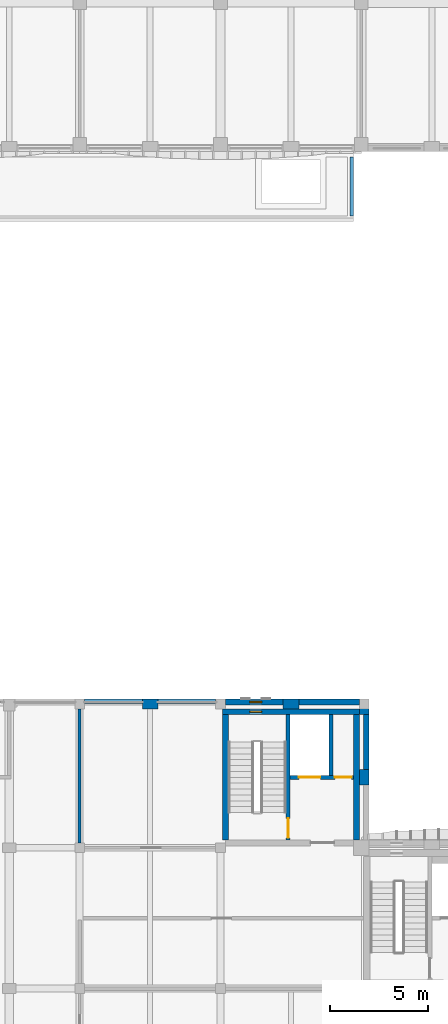
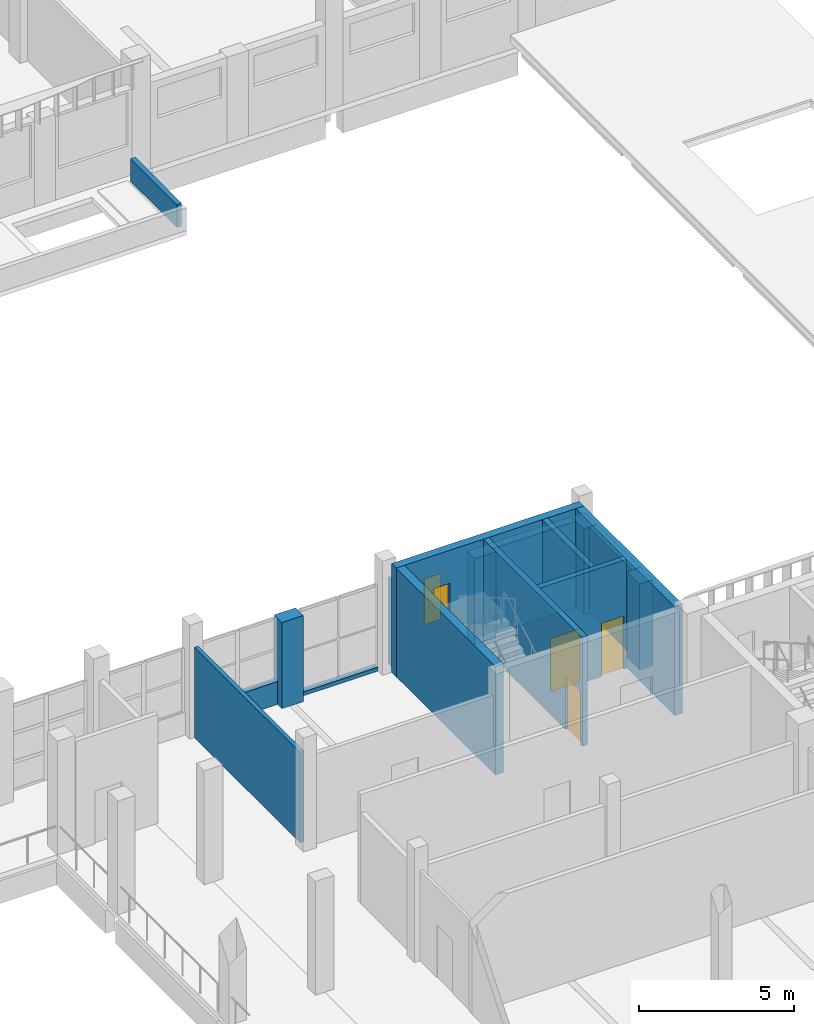
# One storey, part 25 of 59: 17 walls, 3 doors, 2 windows, 5 openings.
"""IFC4 building model written with IfcOpenShell, lengths in metres."""

from ifc_helpers import new_model, si_unit, direction, frame, frame_2d, origin, place, context, subcontext, project, spatial, rectangle, extrude, material, layer, layer_set, type_object, element, fill, save


model = new_model("IFC4")

# Units and contexts
model_context = context("Model", 3, precision=1e-05, world=origin(), true_north=direction((0.0, 1.0)))
body_context = subcontext(model_context, "Body", "Model", "MODEL_VIEW")
ifc_project = project(units=[si_unit("LENGTHUNIT", "METRE"), si_unit("AREAUNIT", "SQUARE_METRE"), si_unit("VOLUMEUNIT", "CUBIC_METRE"), si_unit("PLANEANGLEUNIT", "RADIAN"), si_unit("MASSUNIT", "GRAM", prefix="KILO")], contexts=[model_context])

# Site, building, storey
site_placement = place(None, origin())
site = spatial("IfcSite", under=ifc_project, at=site_placement, CompositionType="ELEMENT")
building_placement = place(site_placement, origin())
building = spatial("IfcBuilding", under=site, at=building_placement, Name="Ussher Court Research Institute", CompositionType="ELEMENT")
storey_placement = place(building_placement, frame((0.0, 0.0, 5.39990234375)))
storey = spatial("IfcBuildingStorey", under=building, at=storey_placement, Name="L01", CompositionType="ELEMENT", Elevation=5.39990234375)

# Wall, opening, window
ifc_material_1 = material(Name="Limestone facing on blockwork", Category="masonry")
ifc_layer_1 = layer(ifc_material_1, 0.300048828125)
ifc_layer_set_1 = layer_set([ifc_layer_1], Name="Limestone facing on blockwork")
wall_type_1 = type_object("IfcWallType", Name="External wall 300 stair enclosure", PredefinedType="SOLIDWALL", material=ifc_layer_set_1)
wall_1_placement = place(storey_placement, frame((75.25, 40.25, 0.0), z_axis=(0.0, 0.0, 1.0), x_axis=(1.0, 0.0, 0.0)))
wall_1 = element("IfcWall", 1, at=wall_1_placement, inside=storey, type_object=wall_type_1, Name="External wall EW5 L01", PredefinedType="SOLIDWALL", context=body_context, shape_type="SweptSolid", body=[
    extrude(rectangle(XDim=2.949951171875, YDim=0.300048828125, at=frame_2d((1.47509765625, 0.0))), origin(), (0.0, 0.0, 1.0), 3.400146484375),
])
opening_1_placement = place(wall_1_placement, frame((1.25, 0.0, 1.199951171875)))
opening_1 = element("IfcOpeningElement", 2, at=opening_1_placement, cuts=wall_1, Name="Opening W25", PredefinedType="OPENING", context=body_context, shape_type="SweptSolid", body=[
    extrude(rectangle(XDim=0.60009765625, YDim=1.800048828125, at=frame_2d((0.300048828125, 0.89990234375))), frame((0.0, 0.16015625, 0.0), z_axis=(0.0, -1.0, 0.0), x_axis=(1.0, 0.0, 0.0)), (0.0, 0.0, 1.0), 0.320068359375),
])
ifc_material_2 = material(Name="Bronze anodised aluminium with double glazing", Category="aluminium")
window_type = type_object("IfcWindowType", Name="Stair light slot window 600x1800 fire-resisting glazing", PartitioningType="SINGLE_PANEL", PredefinedType="WINDOW", material=ifc_material_2)
window_1_placement = place(opening_1_placement, origin())
window_1 = element("IfcWindow", 3, at=window_1_placement, inside=storey, type_object=window_type, Name="Window W25 L01", OverallHeight=1.800048828125, OverallWidth=0.60009765625, PartitioningType="SINGLE_PANEL", PredefinedType="WINDOW", context=body_context, shape_type="SweptSolid", body=[
    extrude(rectangle(XDim=0.60009765625, YDim=1.800048828125, at=frame_2d((0.300048828125, 0.89990234375))), frame((0.0, 0.030029296875, 0.0), z_axis=(0.0, -1.0, 0.0), x_axis=(1.0, 0.0, 0.0)), (0.0, 0.0, 1.0), 0.06005859375),
])
fill(opening_1, window_1)

# Walls
wall_2_placement = place(storey_placement, frame((79.0, 40.25, 0.0), z_axis=(0.0, 0.0, 1.0), x_axis=(1.0, 0.0, 0.0)))
element("IfcWall", 4, at=wall_2_placement, inside=storey, type_object=wall_type_1, Name="External wall EW5 L01", PredefinedType="SOLIDWALL", context=body_context, shape_type="SweptSolid", body=[
    extrude(rectangle(XDim=3.10009765625, YDim=0.300048828125, at=frame_2d((1.550048828125, 0.0))), origin(), (0.0, 0.0, 1.0), 3.400146484375),
])
wall_3_placement = place(storey_placement, frame((82.449951171875, 39.60009765625, 0.0), z_axis=(0.0, 0.0, 1.0), x_axis=(0.0, -1.0, 0.0)))
element("IfcWall", 5, at=wall_3_placement, inside=storey, type_object=wall_type_1, Name="External wall EW5 L01", PredefinedType="SOLIDWALL", context=body_context, shape_type="SweptSolid", body=[
    extrude(rectangle(XDim=2.800048828125, YDim=0.300048828125, at=frame_2d((1.39990234375, 0.0))), origin(), (0.0, 0.0, 1.0), 3.400146484375),
])
ifc_material_3 = material(Name="Plastered blockwork", Category="masonry")
ifc_layer_2 = layer(ifc_material_3, 0.14990234375)
ifc_layer_set_2 = layer_set([ifc_layer_2], Name="Plastered blockwork")
wall_type_2 = type_object("IfcWallType", Name="Fire partition blockwork 150 EI 60", PredefinedType="PARTITIONING", material=ifc_layer_set_2)
wall_4_placement = place(storey_placement, frame((67.800048828125, 33.050048828125, 0.0), z_axis=(0.0, 0.0, 1.0), x_axis=(0.0, 1.0, 0.0)))
element("IfcWall", 6, at=wall_4_placement, inside=storey, type_object=wall_type_2, Name="Fire partition", PredefinedType="PARTITIONING", context=body_context, shape_type="SweptSolid", body=[
    extrude(rectangle(XDim=6.849853515625, YDim=0.14990234375, at=frame_2d((3.4248046875, 0.0))), origin(), (0.0, 0.0, 1.0), 3.570068359375),
])
ifc_material_4 = material(Name="Limestone facing on insulated blockwork", Category="masonry")
ifc_layer_3 = layer(ifc_material_4, 0.219970703125)
ifc_layer_set_3 = layer_set([ifc_layer_3], Name="Limestone facing on insulated blockwork")
wall_type_3 = type_object("IfcWallType", Name="Link wall 220 limestone faced insulated block", PredefinedType="SOLIDWALL", material=ifc_layer_set_3)
wall_5_placement = place(storey_placement, frame((68.050048828125, 40.2900390625, 0.0), z_axis=(0.0, 0.0, 1.0), x_axis=(1.0, 0.0, 0.0)))
element("IfcWall", 7, at=wall_5_placement, inside=storey, type_object=wall_type_3, Name="Plinth wall EW6 L01", PredefinedType="SOLIDWALL", context=body_context, shape_type="SweptSolid", body=[
    extrude(rectangle(XDim=2.949951171875, YDim=0.219970703125, at=frame_2d((1.47509765625, 0.0))), origin(), (0.0, 0.0, 1.0), 0.900146484375),
])
wall_6_placement = place(storey_placement, frame((71.800048828125, 40.2900390625, 0.0), z_axis=(0.0, 0.0, 1.0), x_axis=(1.0, 0.0, 0.0)))
element("IfcWall", 8, at=wall_6_placement, inside=storey, type_object=wall_type_3, Name="Plinth wall EW6 L01", PredefinedType="SOLIDWALL", context=body_context, shape_type="SweptSolid", body=[
    extrude(rectangle(XDim=2.949951171875, YDim=0.219970703125, at=frame_2d((1.47509765625, 0.0))), origin(), (0.0, 0.0, 1.0), 0.150146484375),
])
ifc_material_5 = material(Name="Blockwork with cream render", Category="masonry")
ifc_layer_4 = layer(ifc_material_5, 0.179931640625)
ifc_layer_set_4 = layer_set([ifc_layer_4], Name="Blockwork with cream render")
wall_type_4 = type_object("IfcWallType", Name="Parapet 180 cream render", PredefinedType="PARAPET", material=ifc_layer_set_4)
wall_7_placement = place(storey_placement, frame((81.7099609375, 65.10009765625, 0.0), z_axis=(0.0, 0.0, 1.0), x_axis=(0.0, 1.0, 0.0)))
element("IfcWall", 9, at=wall_7_placement, inside=storey, type_object=wall_type_4, Name="Parapet PW1", PredefinedType="PARAPET", context=body_context, shape_type="SweptSolid", body=[
    extrude(rectangle(XDim=3.0, YDim=0.179931640625, at=frame_2d((1.5, 0.0))), origin(), (0.0, 0.0, 1.0), 0.900146484375),
])
ifc_material_6 = material(Name="Rusticated limestone facing on blockwork", Category="masonry")
ifc_layer_5 = layer(ifc_material_6, 0.5)
ifc_layer_set_5 = layer_set([ifc_layer_5], Name="Rusticated limestone facing on blockwork")
wall_type_5 = type_object("IfcWallType", Name="Pier 800x500 rusticated limestone", PredefinedType="SOLIDWALL", material=ifc_layer_set_5)
for number, where, z_axis, x_axis, name in (
    (10, (71.0, 40.14990234375, 0.0), (0.0, 0.0, 1.0), (1.0, 0.0, 0.0), "Pier PR2 L01"),
    (11, (78.199951171875, 40.14990234375, 0.0), (0.0, 0.0, 1.0), (1.0, 0.0, 0.0), "Pier PR2 L01"),
):
    element("IfcWall", number, at=place(storey_placement, frame(where, z_axis=z_axis, x_axis=x_axis)), inside=storey, type_object=wall_type_5, Name=name, PredefinedType="SOLIDWALL", context=body_context, shape_type="SweptSolid", body=[
        extrude(rectangle(XDim=0.800048828125, YDim=0.5, at=frame_2d((0.39990234375, 0.0))), origin(), (0.0, 0.0, 1.0), 3.400146484375),
    ])
wall_8_placement = place(storey_placement, frame((82.35009765625, 40.39990234375, 0.0), z_axis=(0.0, 0.0, 1.0), x_axis=(0.0, -1.0, 0.0)))
element("IfcWall", 12, at=wall_8_placement, inside=storey, type_object=wall_type_5, Name="Pier PR2 L01", PredefinedType="SOLIDWALL", context=body_context, shape_type="SweptSolid", body=[
    extrude(rectangle(XDim=0.7998046875, YDim=0.5, at=frame_2d((0.39990234375, 0.0))), origin(), (0.0, 0.0, 1.0), 3.400146484375),
])
wall_9_placement = place(storey_placement, frame((82.35009765625, 36.800048828125, 0.0), z_axis=(0.0, 0.0, 1.0), x_axis=(0.0, -1.0, 0.0)))
element("IfcWall", 13, at=wall_9_placement, inside=storey, type_object=wall_type_5, Name="Pier PR2 L01", PredefinedType="SOLIDWALL", context=body_context, shape_type="SweptSolid", body=[
    extrude(rectangle(XDim=0.800048828125, YDim=0.5, at=frame_2d((0.39990234375, 0.0))), origin(), (0.0, 0.0, 1.0), 3.400146484375),
])

# Wall, opening, door
ifc_material_7 = material(Name="Concrete C35/45", Category="concrete")
ifc_layer_6 = layer(ifc_material_7, 0.199951171875)
ifc_layer_set_6 = layer_set([ifc_layer_6], Name="Concrete C35/45")
wall_type_6 = type_object("IfcWallType", Name="RC core wall 200", PredefinedType="SHEAR", material=ifc_layer_set_6)
wall_10_placement = place(storey_placement, frame((78.449951171875, 33.199951171875, 0.0), z_axis=(0.0, 0.0, 1.0), x_axis=(0.0, 1.0, 0.0)))
wall_10 = element("IfcWall", 14, at=wall_10_placement, inside=storey, type_object=wall_type_6, Name="Core wall E1", PredefinedType="SHEAR", context=body_context, shape_type="SweptSolid", body=[
    extrude(rectangle(XDim=6.400146484375, YDim=0.199951171875, at=frame_2d((3.2001953125, 0.0))), origin(), (0.0, 0.0, 1.0), 4.300048828125),
])
opening_2_placement = place(wall_10_placement, frame((0.10009765625, 0.0, 0.0)))
opening_2 = element("IfcOpeningElement", 15, at=opening_2_placement, cuts=wall_10, Name="Opening D01051", PredefinedType="OPENING", context=body_context, shape_type="SweptSolid", body=[
    extrude(rectangle(XDim=1.0, YDim=2.10009765625, at=frame_2d((0.5, 1.050048828125))), frame((0.0, 0.10986328125, 0.0), z_axis=(0.0, -1.0, 0.0), x_axis=(1.0, 0.0, 0.0)), (0.0, 0.0, 1.0), 0.219970703125),
])
ifc_material_8 = material(Name="Painted steel faced fire door", Category="steel")
door_type_1 = type_object("IfcDoorType", Name="Fire door 1000x2100 FD60", OperationType="NOTDEFINED", PredefinedType="DOOR", material=ifc_material_8)
door_1_placement = place(opening_2_placement, origin())
door_1 = element("IfcDoor", 16, at=door_1_placement, inside=storey, type_object=door_type_1, Name="Door D01051", OperationType="SINGLE_SWING_LEFT", OverallHeight=2.10009765625, OverallWidth=1.0, PredefinedType="DOOR", context=body_context, shape_type="SweptSolid", body=[
    extrude(rectangle(XDim=1.0, YDim=2.10009765625, at=frame_2d((0.5, 1.050048828125))), frame((0.0, 0.02490234375, 0.0), z_axis=(0.0, -1.0, 0.0), x_axis=(1.0, 0.0, 0.0)), (0.0, 0.0, 1.0), 0.050048828125),
])
fill(opening_2, door_1)

# Wall, openings, doors
wall_11_placement = place(storey_placement, frame((81.800048828125, 36.39990234375, 0.0), z_axis=(0.0, 0.0, 1.0), x_axis=(-1.0, 0.0, 0.0)))
wall_11 = element("IfcWall", 17, at=wall_11_placement, inside=storey, type_object=wall_type_6, Name="Core wall E1", PredefinedType="SHEAR", context=body_context, shape_type="SweptSolid", body=[
    extrude(rectangle(XDim=3.25, YDim=0.199951171875, at=frame_2d((1.625, 0.0))), origin(), (0.0, 0.0, 1.0), 4.300048828125),
])
opening_3_placement = place(wall_11_placement, frame((1.699951171875, 0.0, 0.0)))
opening_3 = element("IfcOpeningElement", 18, at=opening_3_placement, cuts=wall_11, Name="Opening LD22", PredefinedType="OPENING", context=body_context, shape_type="SweptSolid", body=[
    extrude(rectangle(XDim=1.10009765625, YDim=2.10009765625, at=frame_2d((0.550048828125, 1.050048828125))), frame((0.0, 0.10986328125, 0.0), z_axis=(0.0, -1.0, 0.0), x_axis=(1.0, 0.0, 0.0)), (0.0, 0.0, 1.0), 0.219970703125),
])
opening_4_placement = place(wall_11_placement, frame((0.10009765625, 0.0, 0.0)))
opening_4 = element("IfcOpeningElement", 19, at=opening_4_placement, cuts=wall_11, Name="Opening D01057", PredefinedType="OPENING", context=body_context, shape_type="SweptSolid", body=[
    extrude(rectangle(XDim=0.85009765625, YDim=2.10009765625, at=frame_2d((0.425048828125, 1.050048828125))), frame((0.0, 0.10986328125, 0.0), z_axis=(0.0, -1.0, 0.0), x_axis=(1.0, 0.0, 0.0)), (0.0, 0.0, 1.0), 0.219970703125),
])
ifc_material_9 = material(Name="Painted steel faced fire door", Category="steel")
door_type_2 = type_object("IfcDoorType", Name="Fire door 850x2100 FD60", OperationType="NOTDEFINED", PredefinedType="DOOR", material=ifc_material_9)
door_2_placement = place(opening_4_placement, origin())
door_2 = element("IfcDoor", 20, at=door_2_placement, inside=storey, type_object=door_type_2, Name="Door D01057", OperationType="SINGLE_SWING_LEFT", OverallHeight=2.10009765625, OverallWidth=0.85009765625, PredefinedType="DOOR", context=body_context, shape_type="SweptSolid", body=[
    extrude(rectangle(XDim=0.85009765625, YDim=2.10009765625, at=frame_2d((0.425048828125, 1.050048828125))), frame((0.0, 0.02490234375, 0.0), z_axis=(0.0, -1.0, 0.0), x_axis=(1.0, 0.0, 0.0)), (0.0, 0.0, 1.0), 0.050048828125),
])
fill(opening_4, door_2)
ifc_material_10 = material(Name="Stainless steel lift door", Category="steel")
door_type_3 = type_object("IfcDoorType", Name="Lift landing door 1100x2100 sliding", OperationType="DOUBLE_DOOR_SLIDING", PredefinedType="DOOR", material=ifc_material_10)
door_3_placement = place(opening_3_placement, origin())
door_3 = element("IfcDoor", 21, at=door_3_placement, inside=storey, type_object=door_type_3, Name="Landing door E1-1 L01", OperationType="DOUBLE_DOOR_SLIDING", OverallHeight=2.10009765625, OverallWidth=1.10009765625, PredefinedType="DOOR", context=body_context, shape_type="SweptSolid", body=[
    extrude(rectangle(XDim=1.10009765625, YDim=2.10009765625, at=frame_2d((0.550048828125, 1.050048828125))), frame((0.0, 0.02490234375, 0.0), z_axis=(0.0, -1.0, 0.0), x_axis=(1.0, 0.0, 0.0)), (0.0, 0.0, 1.0), 0.050048828125),
])
fill(opening_3, door_3)

# Wall
wall_12_placement = place(storey_placement, frame((80.64990234375, 36.5, 0.0), z_axis=(0.0, 0.0, 1.0), x_axis=(0.0, 1.0, 0.0)))
element("IfcWall", 22, at=wall_12_placement, inside=storey, type_object=wall_type_6, Name="Core wall E1", PredefinedType="SHEAR", context=body_context, shape_type="SweptSolid", body=[
    extrude(rectangle(XDim=3.10009765625, YDim=0.199951171875, at=frame_2d((1.550048828125, 0.0))), origin(), (0.0, 0.0, 1.0), 4.300048828125),
])

# Wall, opening, window
ifc_material_11 = material(Name="Concrete C35/45", Category="concrete")
ifc_layer_7 = layer(ifc_material_11, 0.300048828125)
ifc_layer_set_7 = layer_set([ifc_layer_7], Name="Concrete C35/45")
wall_type_7 = type_object("IfcWallType", Name="RC core wall 300", PredefinedType="SHEAR", material=ifc_layer_set_7)
wall_13_placement = place(storey_placement, frame((75.10009765625, 39.75, 0.0), z_axis=(0.0, 0.0, 1.0), x_axis=(1.0, 0.0, 0.0)))
wall_13 = element("IfcWall", 23, at=wall_13_placement, inside=storey, type_object=wall_type_7, Name="Core wall E1", PredefinedType="SHEAR", context=body_context, shape_type="SweptSolid", body=[
    extrude(rectangle(XDim=7.0, YDim=0.300048828125, at=frame_2d((3.5, 0.0))), origin(), (0.0, 0.0, 1.0), 4.300048828125),
])
opening_5_placement = place(wall_13_placement, frame((1.39990234375, 0.0, 1.199951171875)))
opening_5 = element("IfcOpeningElement", 24, at=opening_5_placement, cuts=wall_13, Name="Opening W25", PredefinedType="OPENING", context=body_context, shape_type="SweptSolid", body=[
    extrude(rectangle(XDim=0.60009765625, YDim=1.800048828125, at=frame_2d((0.300048828125, 0.89990234375))), frame((0.0, 0.16015625, 0.0), z_axis=(0.0, -1.0, 0.0), x_axis=(1.0, 0.0, 0.0)), (0.0, 0.0, 1.0), 0.320068359375),
])
window_2_placement = place(opening_5_placement, origin())
window_2 = element("IfcWindow", 25, at=window_2_placement, inside=storey, type_object=window_type, Name="Window stair light E1 L01", OverallHeight=1.800048828125, OverallWidth=0.60009765625, PartitioningType="SINGLE_PANEL", PredefinedType="WINDOW", context=body_context, shape_type="SweptSolid", body=[
    extrude(rectangle(XDim=0.60009765625, YDim=1.800048828125, at=frame_2d((0.300048828125, 0.89990234375))), frame((0.0, 0.030029296875, 0.0), z_axis=(0.0, -1.0, 0.0), x_axis=(1.0, 0.0, 0.0)), (0.0, 0.0, 1.0), 0.06005859375),
])
fill(opening_5, window_2)

# Walls
for number, where, z_axis, x_axis, name in (
    (26, (75.25, 33.199951171875, 0.0), (0.0, 0.0, 1.0), (0.0, 1.0, 0.0), "Core wall E1"),
    (27, (81.949951171875, 33.199951171875, 0.0), (0.0, 0.0, 1.0), (0.0, 1.0, 0.0), "Core wall E1"),
):
    element("IfcWall", number, at=place(storey_placement, frame(where, z_axis=z_axis, x_axis=x_axis)), inside=storey, type_object=wall_type_7, Name=name, PredefinedType="SHEAR", context=body_context, shape_type="SweptSolid", body=[
        extrude(rectangle(XDim=6.400146484375, YDim=0.300048828125, at=frame_2d((3.2001953125, 0.0))), origin(), (0.0, 0.0, 1.0), 4.300048828125),
    ])

save(model, "model.ifc")
